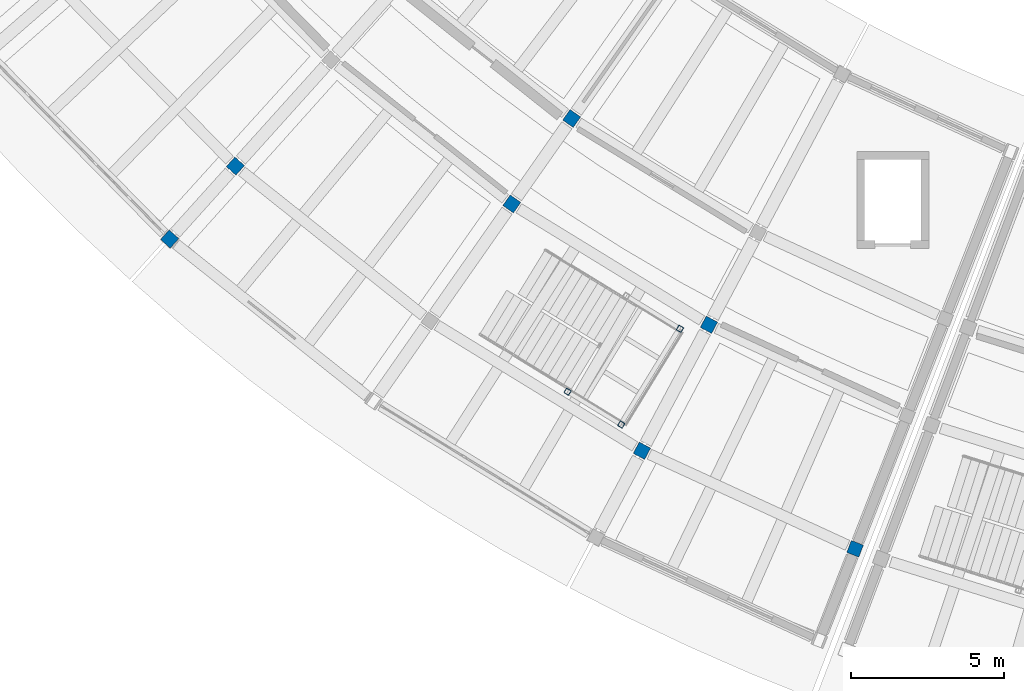
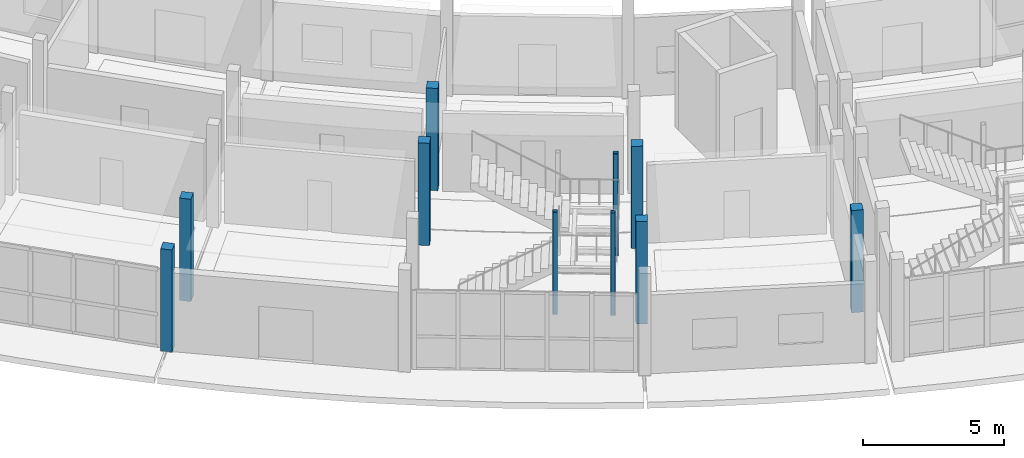
# One storey, part 6 of 92: 10 columns.
"""IFC4 building model written with IfcOpenShell, lengths in metres."""

from ifc_helpers import new_model, si_unit, direction, frame, origin, origin_2d, place, context, subcontext, project, spatial, rectangle, hollow_rectangle, extrude, material, material_profile, profile_set, type_object, element, save


model = new_model("IFC4")

# Units and contexts
model_context = context("Model", 3, precision=1e-05, world=origin(), true_north=direction((0.0, 1.0)))
body_context = subcontext(model_context, "Body", "Model", "MODEL_VIEW")
ifc_project = project(units=[si_unit("LENGTHUNIT", "METRE"), si_unit("AREAUNIT", "SQUARE_METRE"), si_unit("VOLUMEUNIT", "CUBIC_METRE"), si_unit("PLANEANGLEUNIT", "RADIAN"), si_unit("MASSUNIT", "GRAM", prefix="KILO")], contexts=[model_context])

# Site, building, storey
site_placement = place(None, origin())
site = spatial("IfcSite", under=ifc_project, at=site_placement, CompositionType="ELEMENT")
building_placement = place(site_placement, origin())
building = spatial("IfcBuilding", under=site, at=building_placement, Name="Caldaven Crescent School", CompositionType="ELEMENT")
storey_placement = place(building_placement, origin())
storey = spatial("IfcBuildingStorey", under=building, at=storey_placement, Name="L00", CompositionType="ELEMENT", Elevation=0.0)

# Columns
ifc_material_1 = material(Name="Glulam MLE24h (GL28h)", Category="wood")
ifc_material_profile_1 = material_profile(ifc_material_1, rectangle(XDim=0.419921875, YDim=0.419921875, at=origin_2d()), Name="MLE 420x420")
ifc_profile_set_1 = profile_set([ifc_material_profile_1], Name="Glulam MLE24h (GL28h)")
column_type_1 = type_object("IfcColumnType", Name="COL-GL42", PredefinedType="COLUMN", material=ifc_profile_set_1)
for number, where, z_axis, x_axis, name in (
    (1, (43.603271484375, 46.6923828125, 0.0), (0.0, 0.0, 1.0), (-0.669130606359, -0.743144825477, 0.0), "COL-V4W-L00-02-3"),
    (2, (41.4619140625, 44.314208984375, 0.0), (0.0, 0.0, 1.0), (-0.669130606359, -0.743144825477, 0.0), "COL-V4W-L00-02-4"),
    (3, (54.560546875, 48.243408203125, 0.0), (0.0, 0.0, 1.0), (-0.573576436351, -0.819152044289, 0.0), "COL-V4W-L00-03-1"),
    (4, (52.6103515625, 45.458251953125, 0.0), (0.0, 0.0, 1.0), (-0.573576436351, -0.819152044289, 0.0), "COL-V4W-L00-03-2"),
    (5, (59.03369140625, 41.522216796875, 0.0), (0.0, 0.0, 1.0), (-0.469471562786, -0.882947592859, 0.0), "COL-V4W-L00-04-2"),
    (6, (56.8505859375, 37.41650390625, 0.0), (0.0, 0.0, 1.0), (-0.469471562786, -0.882947592859, 0.0), "COL-V4W-L00-04-3"),
    (7, (63.79638671875, 34.22216796875, 0.0), (0.0, 0.0, 1.0), (-0.364714278886, -0.931119484694, 0.0), "COL-V4W-L00-05-3"),
):
    element("IfcColumn", number, at=place(storey_placement, frame(where, z_axis=z_axis, x_axis=x_axis)), inside=storey, type_object=column_type_1, Name=name, PredefinedType="COLUMN", context=body_context, shape_type="SweptSolid", body=[
        extrude(rectangle(XDim=0.419921875, YDim=0.419921875, at=origin_2d()), origin(), (0.0, 0.0, 1.0), 4.419921875),
    ])
ifc_material_2 = material(Name="Steel ASTM A572 Grade 50", Category="steel")
ifc_material_profile_2 = material_profile(ifc_material_2, hollow_rectangle(XDim=0.179931640625, YDim=0.179931640625, WallThickness=0.010009765625, InnerFilletRadius=0.010009765625, OuterFilletRadius=0.02001953125, at=origin_2d()), Name="HSS 180x180x10")
ifc_profile_set_2 = profile_set([ifc_material_profile_2], Name="Steel ASTM A572 Grade 50")
column_type_2 = type_object("IfcColumnType", Name="COL-HS18", PredefinedType="COLUMN", material=ifc_profile_set_2)
for number, where, z_axis, x_axis, name in (
    (8, (54.428955078125, 39.341552734375, 0.0), (0.0, 0.0, 1.0), (0.852640164354, -0.522498564716, 0.0), "COL-STPOST-ST1-L00-A"),
    (9, (56.177001953125, 38.2705078125, 0.0), (0.0, 0.0, 1.0), (0.852640164354, -0.522498564716, 0.0), "COL-STPOST-ST1-L00-C"),
    (10, (58.08935546875, 41.39111328125, 0.0), (0.0, 0.0, 1.0), (0.852640164354, -0.522498564716, 0.0), "COL-STPOST-ST1-L00-D"),
):
    element("IfcColumn", number, at=place(storey_placement, frame(where, z_axis=z_axis, x_axis=x_axis)), inside=storey, type_object=column_type_2, Name=name, PredefinedType="COLUMN", context=body_context, shape_type="SweptSolid", body=[
        extrude(hollow_rectangle(XDim=0.179931640625, YDim=0.179931640625, WallThickness=0.010009765625, InnerFilletRadius=0.010009765625, OuterFilletRadius=0.02001953125, at=origin_2d()), origin(), (0.0, 0.0, 1.0), 4.419921875),
    ])

save(model, "model.ifc")
